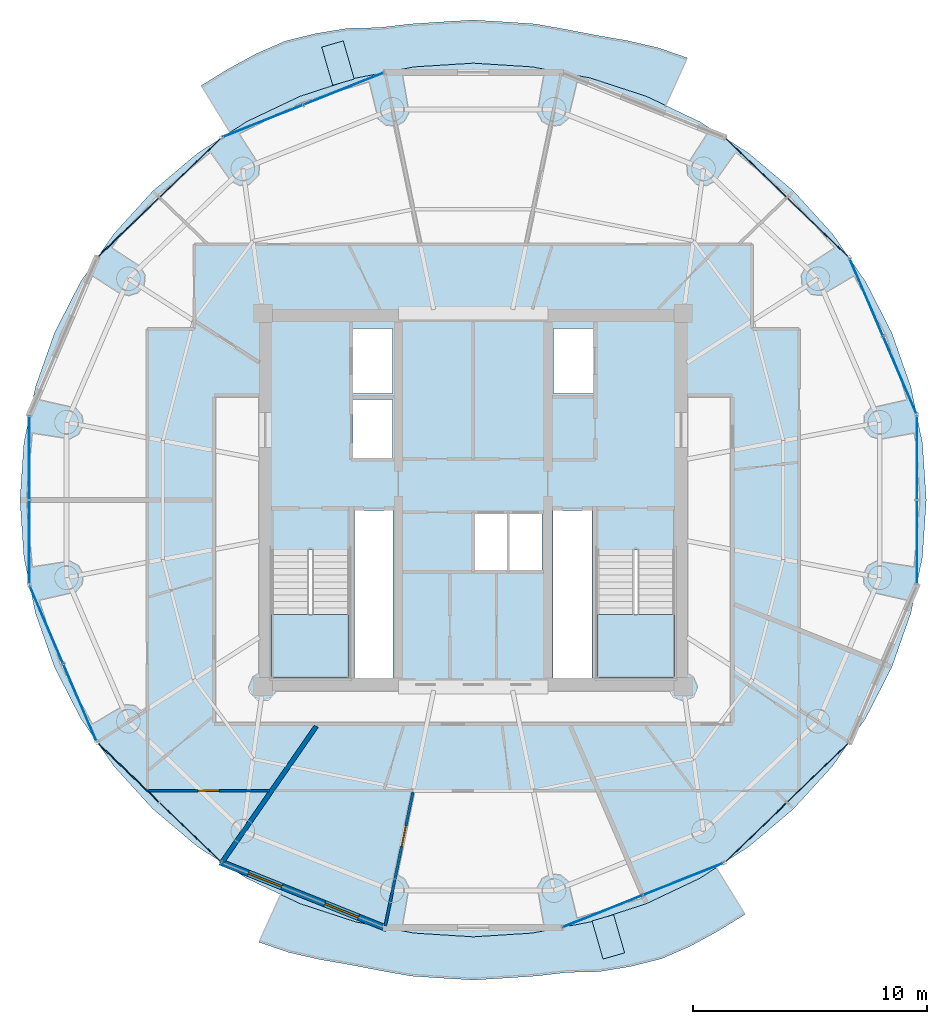
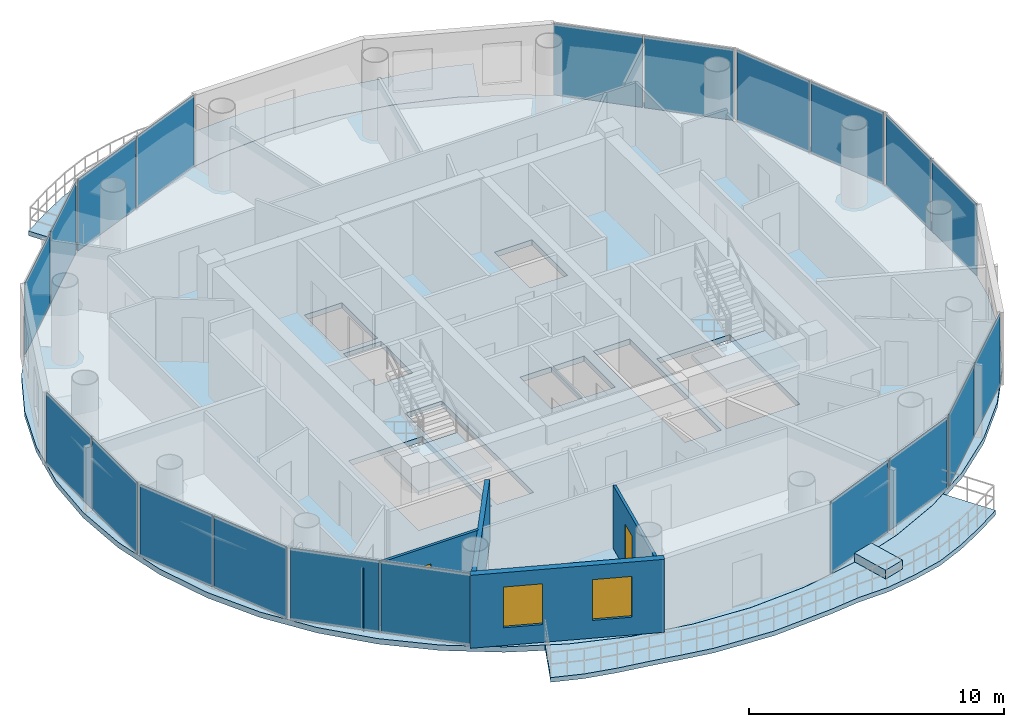
# One storey, part 17 of 24: 20 plates, 7 slabs, 4 walls, 2 doors, 2 windows, 4 openings, 12 elements without a shape of their own.
"""IFC4 building model written with IfcOpenShell, lengths in metres."""

import ifcopenshell
import ifcopenshell.guid

model = None  # the IFC model being written
_history = None  # IfcOwnerHistory: only IFC2X3 demands one
_inside = {}  # id of a spatial element -> (the spatial element, [elements in it])
_under = {}  # id of a project, library or spatial element -> (it, [spatial elements below it])
_declared = {}  # id of a project -> (the project, [libraries it declares])
_typed = {}  # id of a type object -> (the type object, [elements of that type])
_made_of = {}  # id of a material, layer set ... -> (it, [elements and type objects made of it])


def new_model(schema):
    """Start an empty IFC model of exactly this schema.

    Asked for "IFC4X3", IfcOpenShell would pick the latest addendum, in which some entities
    have other attributes; the version numbers below select the first issue.
    IFC2X3 requires an IfcOwnerHistory on every rooted entity: one is made here for all.
    """
    global model, _history
    if schema == "IFC4X3":
        model = ifcopenshell.file(schema_version=(4, 3, 0, 0))
    else:
        model = ifcopenshell.file(schema=schema)
    _inside.clear()
    _under.clear()
    _declared.clear()
    _typed.clear()
    _made_of.clear()
    _history = None
    if model.schema == "IFC2X3":
        org = make("IfcOrganization", Name="unknown")
        user = make(
            "IfcPersonAndOrganization",
            ThePerson=make("IfcPerson", FamilyName="unknown"),
            TheOrganization=org,
        )
        app = make(
            "IfcApplication",
            ApplicationDeveloper=org,
            Version="unknown",
            ApplicationFullName="unknown",
            ApplicationIdentifier="unknown",
        )
        _history = make(
            "IfcOwnerHistory",
            OwningUser=user,
            OwningApplication=app,
            ChangeAction="ADDED",
            CreationDate=0,
        )
    return model


def make(cls, **values):
    """One entity of the class cls with the attributes given. An attribute that is None is left unset."""
    return model.create_entity(
        cls, **{name: value for name, value in values.items() if value is not None}
    )


def rooted(cls, **values):
    """An entity with a GlobalId (a new one), such as an element, a storey or a relation."""
    return make(cls, GlobalId=ifcopenshell.guid.new(), OwnerHistory=_history, **values)


def si_unit(unit_type, name, prefix=None):
    """IfcSIUnit, for example si_unit("LENGTHUNIT", "METRE", prefix="MILLI")."""
    return make("IfcSIUnit", UnitType=unit_type, Prefix=prefix, Name=name)


def assignment(units):
    """IfcUnitAssignment: the units of a project."""
    return None if units is None else make("IfcUnitAssignment", Units=units)


def point(xyz):
    """IfcCartesianPoint."""
    return None if xyz is None else make("IfcCartesianPoint", Coordinates=xyz)


def direction(xyz):
    """IfcDirection."""
    return None if xyz is None else make("IfcDirection", DirectionRatios=xyz)


def frame(location, z_axis=None, x_axis=None):
    """IfcAxis2Placement3D, a coordinate frame: its origin and axes. An axis left out is left unset."""
    return make(
        "IfcAxis2Placement3D",
        Location=point(location),
        Axis=direction(z_axis),
        RefDirection=direction(x_axis),
    )


def frame_2d(location, x_axis=None):
    """IfcAxis2Placement2D, a coordinate frame in the plane: its origin and x axis."""
    return make(
        "IfcAxis2Placement2D", Location=point(location), RefDirection=direction(x_axis)
    )


def origin():
    """The frame at (0, 0, 0) with its axes left unset."""
    return frame((0.0, 0.0, 0.0))


def origin_2d():
    """The frame at (0, 0) in the plane with its x axis left unset."""
    return frame_2d((0.0, 0.0))


def place(relative_to, where):
    """IfcLocalPlacement: puts the frame where relative to a parent placement (None: the world)."""
    return make(
        "IfcLocalPlacement", PlacementRelTo=relative_to, RelativePlacement=where
    )


def context(
    kind, dimensions, precision=None, world=None, true_north=None, identifier=None
):
    """IfcGeometricRepresentationContext, for example the 3D "Model" context."""
    return make(
        "IfcGeometricRepresentationContext",
        ContextIdentifier=identifier,
        ContextType=kind,
        CoordinateSpaceDimension=dimensions,
        Precision=precision,
        WorldCoordinateSystem=world,
        TrueNorth=true_north,
    )


def subcontext(parent, identifier, kind, view, scale=None):
    """IfcGeometricRepresentationSubContext, for example "Body" below "Model"."""
    return make(
        "IfcGeometricRepresentationSubContext",
        ContextIdentifier=identifier,
        ContextType=kind,
        ParentContext=parent,
        TargetScale=scale,
        TargetView=view,
    )


def project(units=None, contexts=None):
    """IfcProject with its units and contexts."""
    return rooted(
        "IfcProject",
        Name="project",
        RepresentationContexts=contexts,
        UnitsInContext=assignment(units),
    )


def spatial(cls, under=None, at=None, **own):
    """A site, building, storey or space (cls), placed at a placement, below another one or the project."""
    s = rooted(cls, ObjectPlacement=at, **own)
    if under is not None:
        _under.setdefault(under.id(), (under, []))[1].append(s)
    return s


def polyline(points):
    """IfcPolyline through the points."""
    return make("IfcPolyline", Points=[point(p) for p in points])


def profile(cls, at=None, kind="AREA", **sizes):
    """A parametric profile (cls). Its sizes go by their IFC names, for example OverallWidth=200.0."""
    return make(cls, ProfileType=kind, Position=at, **sizes)


def rectangle(**sizes):
    """IfcRectangleProfileDef."""
    return profile("IfcRectangleProfileDef", **sizes)


def outline(outer, holes=None, kind="AREA"):
    """IfcArbitraryClosedProfileDef: a profile drawn as a closed curve; with holes, ...WithVoids."""
    if holes is None:
        return make("IfcArbitraryClosedProfileDef", ProfileType=kind, OuterCurve=outer)
    return make(
        "IfcArbitraryProfileDefWithVoids",
        ProfileType=kind,
        OuterCurve=outer,
        InnerCurves=holes,
    )


def extrude(swept, where, along, depth):
    """IfcExtrudedAreaSolid: the profile swept, set in the frame where, extruded along a direction by depth."""
    return make(
        "IfcExtrudedAreaSolid",
        SweptArea=swept,
        Position=where,
        ExtrudedDirection=direction(along),
        Depth=depth,
    )


def shape(context_of_items, identifier, shape_type, items):
    """IfcShapeRepresentation: the items that make up one representation, for example the "Body"."""
    return make(
        "IfcShapeRepresentation",
        ContextOfItems=context_of_items,
        RepresentationIdentifier=identifier,
        RepresentationType=shape_type,
        Items=items,
    )


def source(mapping_origin, context_of_items, identifier, shape_type, items):
    """IfcRepresentationMap: a shape defined once, which mapped items show again and again."""
    return make(
        "IfcRepresentationMap",
        MappingOrigin=mapping_origin,
        MappedRepresentation=shape(context_of_items, identifier, shape_type, items),
    )


def transform(
    local_origin,
    x_axis=None,
    y_axis=None,
    z_axis=None,
    scale=None,
    scale2=None,
    scale3=None,
    uniform=True,
):
    """IfcCartesianTransformationOperator3D, or its non-uniform kind. x_axis, y_axis, z_axis: its Axis1, 2, 3."""
    if uniform:
        return make(
            "IfcCartesianTransformationOperator3D",
            Axis1=direction(x_axis),
            Axis2=direction(y_axis),
            LocalOrigin=point(local_origin),
            Scale=scale,
            Axis3=direction(z_axis),
        )
    return make(
        "IfcCartesianTransformationOperator3DnonUniform",
        Axis1=direction(x_axis),
        Axis2=direction(y_axis),
        LocalOrigin=point(local_origin),
        Scale=scale,
        Axis3=direction(z_axis),
        Scale2=scale2,
        Scale3=scale3,
    )


def mapped(mapping_source, mapping_target):
    """IfcMappedItem: shows the shape of a source again, moved by a transform."""
    return make(
        "IfcMappedItem", MappingSource=mapping_source, MappingTarget=mapping_target
    )


def material(Name=None, Category=None):
    """IfcMaterial."""
    return make("IfcMaterial", Name=Name, Category=Category)


def layer(
    of_material, thickness, ventilated=None, Name=None, Category=None, Priority=None
):
    """IfcMaterialLayer: one layer of a wall or slab, of a material (None: an air gap)."""
    return make(
        "IfcMaterialLayer",
        Material=of_material,
        LayerThickness=thickness,
        IsVentilated=ventilated,
        Name=Name,
        Category=Category,
        Priority=Priority,
    )


def layer_set(layers, Name=None):
    """IfcMaterialLayerSet."""
    return make("IfcMaterialLayerSet", MaterialLayers=layers, LayerSetName=Name)


def made_of(thing, what):
    """Note that an element or type object is made of a material, layer set ...; save() writes the relation."""
    if what is not None:
        _made_of.setdefault(what.id(), (what, []))[1].append(thing)
    return thing


def type_object(cls, material=None, **own):
    """A type object (cls), such as IfcWallType, which elements share."""
    return made_of(rooted(cls, **own), material)


def element(
    cls,
    number,
    at=None,
    inside=None,
    cuts=None,
    type_object=None,
    material=None,
    context=None,
    identifier="Body",
    shape_type=None,
    held_by="IfcProductDefinitionShape",
    body=None,
    shapes=None,
    **own,
):
    """One element of the class cls, such as IfcWall. Its Tag is "e" and its number.

    at: its placement. inside: the storey or other place that contains it. cuts: it is an
    opening in that element (IfcRelVoidsElement). A single representation is given by context,
    identifier, shape_type and body (its items); several are given by shapes. held_by: the class
    of the entity that holds the representations. save() writes the other relations.
    """
    e = rooted(cls, Tag="e%d" % number, ObjectPlacement=at, **own)
    if body is not None:
        shapes = [shape(context, identifier, shape_type, body)]
    if shapes is not None:
        e.Representation = make(held_by, Representations=shapes)
    if inside is not None:
        _inside.setdefault(inside.id(), (inside, []))[1].append(e)
    if cuts is not None:
        rooted(
            "IfcRelVoidsElement", RelatingBuildingElement=cuts, RelatedOpeningElement=e
        )
    if type_object is not None:
        _typed.setdefault(type_object.id(), (type_object, []))[1].append(e)
    return made_of(e, material)


def fill(opening, filler):
    """IfcRelFillsElement: the door or window that sits in an opening."""
    return rooted(
        "IfcRelFillsElement",
        RelatingOpeningElement=opening,
        RelatedBuildingElement=filler,
    )


def aggregate(whole, parts):
    """IfcRelAggregates: a whole, such as a stair, and the parts it consists of."""
    return rooted("IfcRelAggregates", RelatingObject=whole, RelatedObjects=parts)


def save(model, path):
    """Write the relations noted so far, then the file.

    IfcRelAggregates (storeys below a building ...), IfcRelContainedInSpatialStructure (elements
    in a storey), IfcRelDefinesByType, IfcRelAssociatesMaterial and IfcRelDeclares: one each for
    every whole, place, type object, material and project.
    """
    for whole, parts in _under.values():
        aggregate(whole, parts)
    for where, things in _inside.values():
        rooted(
            "IfcRelContainedInSpatialStructure",
            RelatedElements=things,
            RelatingStructure=where,
        )
    for kind, things in _typed.values():
        rooted("IfcRelDefinesByType", RelatedObjects=things, RelatingType=kind)
    for what, things in _made_of.values():
        rooted("IfcRelAssociatesMaterial", RelatedObjects=things, RelatingMaterial=what)
    for by, libraries in _declared.values():
        rooted("IfcRelDeclares", RelatingContext=by, RelatedDefinitions=libraries)
    model.write(path)


model = new_model("IFC4")

# Units and contexts
model_context = context("Model", 3, precision=1e-05, world=origin(), true_north=direction((-0.2419218956, 0.970295726276)))
body_context = subcontext(model_context, "Body", "Model", "MODEL_VIEW")
ifc_project = project(units=[si_unit("LENGTHUNIT", "METRE"), si_unit("AREAUNIT", "SQUARE_METRE"), si_unit("VOLUMEUNIT", "CUBIC_METRE"), si_unit("PLANEANGLEUNIT", "RADIAN"), si_unit("MASSUNIT", "GRAM", prefix="KILO")], contexts=[model_context])

# Site, building, storey
site_placement = place(None, origin())
site = spatial("IfcSite", under=ifc_project, at=site_placement, CompositionType="ELEMENT")
building_placement = place(site_placement, origin())
building = spatial("IfcBuilding", under=site, at=building_placement, Name="Cobrevalo Terracotta Tower", CompositionType="ELEMENT")
storey_placement = place(building_placement, frame((0.0, 0.0, 274.449951171875)))
storey = spatial("IfcBuildingStorey", under=building, at=storey_placement, Name="L72", CompositionType="ELEMENT", Elevation=274.449951171875)

# Stair, slab
ifc_material_1 = material(Name="Concrete C50", Category="concrete")
stair_type = type_object("IfcStairType", Name="Core protected escape dogleg stair 1600", PredefinedType="HALF_TURN_STAIR", material=ifc_material_1)
stair_1_placement = place(storey_placement, origin())
stair_1 = element("IfcStair", 1, at=stair_1_placement, inside=storey, type_object=stair_type, Name="L72 Protected exit stair ST-1", PredefinedType="HALF_TURN_STAIR")
ifc_layer_1 = layer(ifc_material_1, 0.199951171875)
ifc_layer_set_1 = layer_set([ifc_layer_1], Name="Concrete C50")
slab_type_1 = type_object("IfcSlabType", Name="Reinforced Concrete Stair Landing 200", PredefinedType="LANDING", material=ifc_layer_set_1)
slab_1_placement = place(storey_placement, frame((0.0, 0.0, 1.675048828125)))
slab_1 = element("IfcSlab", 2, at=slab_1_placement, type_object=slab_type_1, Name="ST-1 landing 1", PredefinedType="LANDING", context=body_context, shape_type="SweptSolid", body=[
    extrude(outline(polyline([(29.375, 21.89990234375), (29.375, 19.175048828125), (32.695068359375, 19.175048828125), (32.695068359375, 21.89990234375), (29.375, 21.89990234375)])), origin(), (0.0, 0.0, 1.0), 0.199951171875),
])
aggregate(stair_1, [slab_1])

stair_2_placement = place(storey_placement, origin())
stair_2 = element("IfcStair", 3, at=stair_2_placement, inside=storey, type_object=stair_type, Name="L72 Protected exit stair ST-2", PredefinedType="HALF_TURN_STAIR")
slab_2_placement = place(storey_placement, frame((0.0, 0.0, 1.675048828125)))
slab_2 = element("IfcSlab", 4, at=slab_2_placement, type_object=slab_type_1, Name="ST-2 landing 1", PredefinedType="LANDING", context=body_context, shape_type="SweptSolid", body=[
    extrude(outline(polyline([(43.304931640625, 21.89990234375), (43.304931640625, 19.175048828125), (46.625, 19.175048828125), (46.625, 21.89990234375), (43.304931640625, 21.89990234375)])), origin(), (0.0, 0.0, 1.0), 0.199951171875),
])
aggregate(stair_2, [slab_2])

# Slabs
ifc_material_2 = material(Name="Concrete C45", Category="concrete")
ifc_layer_2 = layer(ifc_material_2, 0.219970703125)
ifc_layer_set_2 = layer_set([ifc_layer_2], Name="Concrete C45")
slab_type_2 = type_object("IfcSlabType", Name="Spiralling cantilevered balcony lobe slab 220 mm", PredefinedType="FLOOR", material=ifc_layer_set_2)
slab_3_placement = place(storey_placement, frame((0.0, 0.0, -0.219970703125)))
element("IfcSlab", 5, at=slab_3_placement, inside=storey, type_object=slab_type_2, Name="L72 spiralling arc balcony slab lobe 1", PredefinedType="FLOOR", context=body_context, shape_type="SweptSolid", body=[
    extrude(outline(polyline([(47.174560546875, 45.7275390625), (45.8994140625, 46.167236328125), (44.58203125, 46.468994140625), (43.26123046875, 46.69775390625), (41.953369140625, 46.951171875), (40.642578125, 47.18359375), (39.31201171875, 47.270751953125), (37.981201171875, 47.348876953125), (36.650390625, 47.268310546875), (35.320068359375, 47.18115234375), (33.99462890625, 47.025390625), (32.626708984375, 46.99267578125), (31.2822265625, 46.77490234375), (29.953125, 46.44580078125), (28.704345703125, 45.90185546875), (27.508544921875, 45.248779296875), (26.35546875, 44.5390625), (27.586181640625, 42.537353515625), (28.299072265625, 42.996337890625), (30.5751953125, 44.078369140625), (32.978271484375, 44.86474609375), (35.467529296875, 45.342041015625), (38.0, 45.501953125), (40.532470703125, 45.342041015625), (43.021728515625, 44.86474609375), (45.4248046875, 44.078369140625), (46.248291015625, 43.68701171875), (47.174560546875, 45.7275390625)])), origin(), (0.0, 0.0, 1.0), 0.219970703125),
])
slab_4_placement = place(storey_placement, frame((0.0, 0.0, -0.219970703125)))
element("IfcSlab", 6, at=slab_4_placement, inside=storey, type_object=slab_type_2, Name="L72 spiralling arc balcony slab lobe 2", PredefinedType="FLOOR", context=body_context, shape_type="SweptSolid", body=[
    extrude(outline(polyline([(28.825439453125, 7.872314453125), (30.1005859375, 7.432861328125), (31.41796875, 7.131103515625), (32.73876953125, 6.902099609375), (34.046630859375, 6.64892578125), (35.357421875, 6.416259765625), (36.68798828125, 6.3291015625), (38.018798828125, 6.2509765625), (39.349609375, 6.33154296875), (40.679931640625, 6.4189453125), (42.00537109375, 6.57470703125), (43.373291015625, 6.607177734375), (44.7177734375, 6.8251953125), (46.046875, 7.154052734375), (47.295654296875, 7.697998046875), (48.491455078125, 8.351318359375), (49.64453125, 9.060791015625), (48.413818359375, 11.062744140625), (47.700927734375, 10.603515625), (45.4248046875, 9.521484375), (43.021728515625, 8.7353515625), (40.532470703125, 8.258056640625), (38.0, 8.097900390625), (35.467529296875, 8.258056640625), (32.978271484375, 8.7353515625), (30.5751953125, 9.521484375), (29.751708984375, 9.9130859375), (28.825439453125, 7.872314453125)])), origin(), (0.0, 0.0, 1.0), 0.219970703125),
])
ifc_material_3 = material(Name="Precast concrete C45", Category="concrete")
ifc_layer_3 = layer(ifc_material_3, 0.419921875)
ifc_layer_set_3 = layer_set([ifc_layer_3], Name="Precast concrete C45")
slab_type_3 = type_object("IfcSlabType", Name="Structural tree planter trough base 420 mm", PredefinedType="USERDEFINED", material=ifc_layer_set_3)
slab_5_placement = place(storey_placement, origin())
element("IfcSlab", 7, at=slab_5_placement, inside=storey, type_object=slab_type_3, Name="L72 structural tree planter trough 1", ObjectType="PLANTER", PredefinedType="USERDEFINED", context=body_context, shape_type="SweptSolid", body=[
    extrude(outline(polyline([(32.909912109375, 44.81982421875), (32.43896484375, 46.453369140625), (31.5166015625, 46.187255859375), (31.987548828125, 44.553955078125), (32.909912109375, 44.81982421875)])), origin(), (0.0, 0.0, 1.0), 0.420166015625),
])
slab_6_placement = place(storey_placement, origin())
element("IfcSlab", 8, at=slab_6_placement, inside=storey, type_object=slab_type_3, Name="L72 structural tree planter trough 2", ObjectType="PLANTER", PredefinedType="USERDEFINED", context=body_context, shape_type="SweptSolid", body=[
    extrude(outline(polyline([(43.090087890625, 8.7802734375), (43.56103515625, 7.146728515625), (44.4833984375, 7.41259765625), (44.012451171875, 9.046142578125), (43.090087890625, 8.7802734375)])), origin(), (0.0, 0.0, 1.0), 0.420166015625),
])
ifc_layer_4 = layer(ifc_material_2, 0.260009765625)
ifc_layer_set_4 = layer_set([ifc_layer_4], Name="Concrete C45")
slab_type_4 = type_object("IfcSlabType", Name="Zone Z5 elliptical floor plate 260 mm", PredefinedType="FLOOR", material=ifc_layer_set_4)
slab_7_placement = place(storey_placement, frame((0.0, 0.0, -0.260009765625)))
element("IfcSlab", 9, at=slab_7_placement, inside=storey, type_object=slab_type_4, Name="L72 indoor elliptical floor slab", PredefinedType="FLOOR", context=body_context, shape_type="SweptSolid", body=[
    extrude(outline(polyline([(57.234130859375, 24.359130859375), (56.739013671875, 21.9599609375), (55.92333984375, 19.643798828125), (54.80078125, 17.449951171875), (53.39111328125, 15.416259765625), (51.7177734375, 13.5771484375), (49.81005859375, 11.96435546875), (47.699951171875, 10.605224609375), (45.424072265625, 9.5234375), (43.02099609375, 8.7373046875), (40.5322265625, 8.260009765625), (38.0, 8.10009765625), (35.4677734375, 8.260009765625), (32.97900390625, 8.7373046875), (30.575927734375, 9.5234375), (28.300048828125, 10.605224609375), (26.18994140625, 11.96435546875), (24.2822265625, 13.5771484375), (22.60888671875, 15.416259765625), (21.19921875, 17.449951171875), (20.07666015625, 19.643798828125), (19.260986328125, 21.9599609375), (18.765869140625, 24.359130859375), (18.60009765625, 26.800048828125), (18.765869140625, 29.24072265625), (19.260986328125, 31.639892578125), (20.07666015625, 33.956298828125), (21.19921875, 36.14990234375), (22.60888671875, 38.183837890625), (24.2822265625, 40.02294921875), (26.18994140625, 41.6357421875), (28.300048828125, 42.99462890625), (30.575927734375, 44.07666015625), (32.97900390625, 44.86279296875), (35.4677734375, 45.340087890625), (38.0, 45.5), (40.5322265625, 45.340087890625), (43.02099609375, 44.86279296875), (45.424072265625, 44.07666015625), (47.699951171875, 42.99462890625), (49.81005859375, 41.6357421875), (51.7177734375, 40.02294921875), (53.39111328125, 38.183837890625), (54.80078125, 36.14990234375), (55.92333984375, 33.956298828125), (56.739013671875, 31.639892578125), (57.234130859375, 29.24072265625), (57.39990234375, 26.800048828125), (57.234130859375, 24.359130859375)]), holes=[polyline([(32.695068359375, 19.175048828125), (32.695068359375, 24.659912109375), (29.375, 24.659912109375), (29.375, 19.175048828125), (32.695068359375, 19.175048828125)]), polyline([(46.625, 19.175048828125), (46.625, 24.659912109375), (43.304931640625, 24.659912109375), (43.304931640625, 19.175048828125), (46.625, 19.175048828125)]), polyline([(34.574951171875, 26.360107421875), (32.919921875, 26.360107421875), (32.919921875, 19.175048828125), (34.574951171875, 19.175048828125), (34.574951171875, 26.360107421875)]), polyline([(43.080078125, 26.360107421875), (41.425048828125, 26.360107421875), (41.425048828125, 19.175048828125), (43.080078125, 19.175048828125), (43.080078125, 26.360107421875)]), polyline([(39.469970703125, 26.25), (38.0400390625, 26.25), (38.0400390625, 23.800048828125), (39.469970703125, 23.800048828125), (39.469970703125, 26.25)]), polyline([(40.949951171875, 26.25), (39.52001953125, 26.25), (39.52001953125, 23.800048828125), (40.949951171875, 23.800048828125), (40.949951171875, 26.25)]), polyline([(34.550048828125, 31.10009765625), (32.85009765625, 31.10009765625), (32.85009765625, 28.60009765625), (34.550048828125, 28.60009765625), (34.550048828125, 31.10009765625)]), polyline([(34.550048828125, 31.35009765625), (34.550048828125, 34.14990234375), (32.85009765625, 34.14990234375), (32.85009765625, 31.35009765625), (34.550048828125, 31.35009765625)]), polyline([(43.14990234375, 31.35009765625), (43.14990234375, 34.14990234375), (41.449951171875, 34.14990234375), (41.449951171875, 31.35009765625), (43.14990234375, 31.35009765625)])]), origin(), (0.0, 0.0, 1.0), 0.260009765625),
])

# Curtain wall, plates
ifc_material_4 = material(Name="Anodized aluminium", Category="aluminium")
curtain_wall_type = type_object("IfcCurtainWallType", Name="Upper-tower triple-glazed penthouse curtain wall CW-U3", PredefinedType="NOTDEFINED", material=ifc_material_4)
curtain_wall_1_placement = place(storey_placement, origin())
curtain_wall_1 = element("IfcCurtainWall", 10, at=curtain_wall_1_placement, inside=storey, type_object=curtain_wall_type, Name="L72 curtain wall CW-L72-S02", PredefinedType="NOTDEFINED")
ifc_material_5 = material(Name="Solar-control low-E double glazing", Category="glass")
ifc_layer_5 = layer(ifc_material_5, 0.028076171875)
ifc_layer_set_5 = layer_set([ifc_layer_5], Name="Solar-control low-E double glazing")
plate_type = type_object("IfcPlateType", Name="Tower solar-control low-E vision glass panel 28 mm", PredefinedType="CURTAIN_PANEL", material=ifc_layer_set_5)
shared_shape_1 = source(origin(), body_context, "Body", "SweptSolid", [
    extrude(rectangle(XDim=3.59130859375, YDim=0.035888671875, at=origin_2d()), origin(), (0.0, 0.0, 1.0), 3.409912109375),
])
plate_1_placement = place(storey_placement, frame((52.755126953125, 38.47412109375, 0.0400390625), z_axis=(0.0, 0.0, 1.0), x_axis=(-0.719996603293, 0.693977586992, 0.0)))
plate_1 = element("IfcPlate", 11, at=plate_1_placement, type_object=plate_type, Name="CW-L72-S02 glazing panel B01", PredefinedType="CURTAIN_PANEL", context=body_context, shape_type="MappedRepresentation", body=[
    mapped(shared_shape_1, transform((0.0, 0.0, 0.0), scale=1.0)),
])
plate_2_placement = place(storey_placement, frame((50.11181640625, 41.02197265625, 0.0400390625), z_axis=(0.0, 0.0, 1.0), x_axis=(-0.719996603293, 0.693977586992, 0.0)))
plate_2 = element("IfcPlate", 12, at=plate_2_placement, type_object=plate_type, Name="CW-L72-S02 glazing panel B02", PredefinedType="CURTAIN_PANEL", context=body_context, shape_type="MappedRepresentation", body=[
    mapped(shared_shape_1, transform((0.0, 0.0, 0.0), scale=1.0)),
])
aggregate(curtain_wall_1, [plate_1, plate_2])

curtain_wall_2_placement = place(storey_placement, origin())
curtain_wall_2 = element("IfcCurtainWall", 13, at=curtain_wall_2_placement, inside=storey, type_object=curtain_wall_type, Name="L72 curtain wall CW-L72-S06", PredefinedType="NOTDEFINED")
plate_3_placement = place(storey_placement, frame((25.88818359375, 41.02197265625, 0.0400390625), z_axis=(0.0, 0.0, 1.0), x_axis=(-0.719996603293, -0.693977586992, 0.0)))
plate_3 = element("IfcPlate", 14, at=plate_3_placement, type_object=plate_type, Name="CW-L72-S06 glazing panel B01", PredefinedType="CURTAIN_PANEL", context=body_context, shape_type="MappedRepresentation", body=[
    mapped(shared_shape_1, transform((0.0, 0.0, 0.0), scale=1.0)),
])
plate_4_placement = place(storey_placement, frame((23.244873046875, 38.47412109375, 0.0400390625), z_axis=(0.0, 0.0, 1.0), x_axis=(-0.719996603293, -0.693977586992, 0.0)))
plate_4 = element("IfcPlate", 15, at=plate_4_placement, type_object=plate_type, Name="CW-L72-S06 glazing panel B02", PredefinedType="CURTAIN_PANEL", context=body_context, shape_type="MappedRepresentation", body=[
    mapped(shared_shape_1, transform((0.0, 0.0, 0.0), scale=1.0)),
])
aggregate(curtain_wall_2, [plate_3, plate_4])

curtain_wall_3_placement = place(storey_placement, origin())
curtain_wall_3 = element("IfcCurtainWall", 16, at=curtain_wall_3_placement, inside=storey, type_object=curtain_wall_type, Name="L72 curtain wall CW-L72-S10", PredefinedType="NOTDEFINED")
plate_5_placement = place(storey_placement, frame((23.244873046875, 15.1259765625, 0.0400390625), z_axis=(0.0, 0.0, 1.0), x_axis=(0.719996603293, -0.693977586992, 0.0)))
plate_5 = element("IfcPlate", 17, at=plate_5_placement, type_object=plate_type, Name="CW-L72-S10 glazing panel B01", PredefinedType="CURTAIN_PANEL", context=body_context, shape_type="MappedRepresentation", body=[
    mapped(shared_shape_1, transform((0.0, 0.0, 0.0), scale=1.0)),
])
plate_6_placement = place(storey_placement, frame((25.88818359375, 12.578125, 0.0400390625), z_axis=(0.0, 0.0, 1.0), x_axis=(0.719996603293, -0.693977586992, 0.0)))
plate_6 = element("IfcPlate", 18, at=plate_6_placement, type_object=plate_type, Name="CW-L72-S10 glazing panel B02", PredefinedType="CURTAIN_PANEL", context=body_context, shape_type="MappedRepresentation", body=[
    mapped(shared_shape_1, transform((0.0, 0.0, 0.0), scale=1.0)),
])
aggregate(curtain_wall_3, [plate_5, plate_6])

curtain_wall_4_placement = place(storey_placement, origin())
curtain_wall_4 = element("IfcCurtainWall", 19, at=curtain_wall_4_placement, inside=storey, type_object=curtain_wall_type, Name="L72 curtain wall CW-L72-S14", PredefinedType="NOTDEFINED")
plate_7_placement = place(storey_placement, frame((50.11181640625, 12.578125, 0.0400390625), z_axis=(0.0, 0.0, 1.0), x_axis=(0.719996603293, 0.693977586992, 0.0)))
plate_7 = element("IfcPlate", 20, at=plate_7_placement, type_object=plate_type, Name="CW-L72-S14 glazing panel B01", PredefinedType="CURTAIN_PANEL", context=body_context, shape_type="MappedRepresentation", body=[
    mapped(shared_shape_1, transform((0.0, 0.0, 0.0), scale=1.0)),
])
plate_8_placement = place(storey_placement, frame((52.755126953125, 15.1259765625, 0.0400390625), z_axis=(0.0, 0.0, 1.0), x_axis=(0.719996603293, 0.693977586992, 0.0)))
plate_8 = element("IfcPlate", 21, at=plate_8_placement, type_object=plate_type, Name="CW-L72-S14 glazing panel B02", PredefinedType="CURTAIN_PANEL", context=body_context, shape_type="MappedRepresentation", body=[
    mapped(shared_shape_1, transform((0.0, 0.0, 0.0), scale=1.0)),
])
aggregate(curtain_wall_4, [plate_7, plate_8])

curtain_wall_5_placement = place(storey_placement, origin())
curtain_wall_5 = element("IfcCurtainWall", 22, at=curtain_wall_5_placement, inside=storey, type_object=curtain_wall_type, Name="L72 curtain wall CW-L72-S05", PredefinedType="NOTDEFINED")
shared_shape_2 = source(origin(), body_context, "Body", "SweptSolid", [
    extrude(rectangle(XDim=3.63916015625, YDim=0.035888671875, at=origin_2d()), origin(), (0.0, 0.0, 1.0), 3.409912109375),
])
plate_9_placement = place(storey_placement, frame((32.456787109375, 44.406982421875, 0.0400390625), z_axis=(0.0, 0.0, 1.0), x_axis=(-0.92871833374, -0.370785998353, 0.0)))
plate_9 = element("IfcPlate", 23, at=plate_9_placement, type_object=plate_type, Name="CW-L72-S05 glazing panel B01", PredefinedType="CURTAIN_PANEL", context=body_context, shape_type="MappedRepresentation", body=[
    mapped(shared_shape_2, transform((0.0, 0.0, 0.0), scale=1.0)),
])
plate_10_placement = place(storey_placement, frame((29.002685546875, 43.02783203125, 0.0400390625), z_axis=(0.0, 0.0, 1.0), x_axis=(-0.92871833374, -0.370785998353, 0.0)))
plate_10 = element("IfcPlate", 24, at=plate_10_placement, type_object=plate_type, Name="CW-L72-S05 glazing panel B02", PredefinedType="CURTAIN_PANEL", context=body_context, shape_type="MappedRepresentation", body=[
    mapped(shared_shape_2, transform((0.0, 0.0, 0.0), scale=1.0)),
])
aggregate(curtain_wall_5, [plate_9, plate_10])

curtain_wall_6_placement = place(storey_placement, origin())
curtain_wall_6 = element("IfcCurtainWall", 25, at=curtain_wall_6_placement, inside=storey, type_object=curtain_wall_type, Name="L72 curtain wall CW-L72-S13", PredefinedType="NOTDEFINED")
plate_11_placement = place(storey_placement, frame((43.543212890625, 9.193115234375, 0.0400390625), z_axis=(0.0, 0.0, 1.0), x_axis=(0.92871833374, 0.370785998353, 0.0)))
plate_11 = element("IfcPlate", 26, at=plate_11_placement, type_object=plate_type, Name="CW-L72-S13 glazing panel B01", PredefinedType="CURTAIN_PANEL", context=body_context, shape_type="MappedRepresentation", body=[
    mapped(shared_shape_2, transform((0.0, 0.0, 0.0), scale=1.0)),
])
plate_12_placement = place(storey_placement, frame((46.997314453125, 10.572021484375, 0.0400390625), z_axis=(0.0, 0.0, 1.0), x_axis=(0.92871833374, 0.370785998353, 0.0)))
plate_12 = element("IfcPlate", 27, at=plate_12_placement, type_object=plate_type, Name="CW-L72-S13 glazing panel B02", PredefinedType="CURTAIN_PANEL", context=body_context, shape_type="MappedRepresentation", body=[
    mapped(shared_shape_2, transform((0.0, 0.0, 0.0), scale=1.0)),
])
aggregate(curtain_wall_6, [plate_11, plate_12])

curtain_wall_7_placement = place(storey_placement, origin())
curtain_wall_7 = element("IfcCurtainWall", 28, at=curtain_wall_7_placement, inside=storey, type_object=curtain_wall_type, Name="L72 curtain wall CW-L72-S01", PredefinedType="NOTDEFINED")
shared_shape_3 = source(origin(), body_context, "Body", "SweptSolid", [
    extrude(rectangle(XDim=3.542724609375, YDim=0.035888671875, at=origin_2d()), origin(), (0.0, 0.0, 1.0), 3.409912109375),
])
plate_13_placement = place(storey_placement, frame((56.266845703125, 32.143310546875, 0.0400390625), z_axis=(0.0, 0.0, 1.0), x_axis=(-0.394828845134, 0.918754691444, 0.0)))
plate_13 = element("IfcPlate", 29, at=plate_13_placement, type_object=plate_type, Name="CW-L72-S01 glazing panel B01", PredefinedType="CURTAIN_PANEL", context=body_context, shape_type="MappedRepresentation", body=[
    mapped(shared_shape_3, transform((0.0, 0.0, 0.0), scale=1.0)),
])
plate_14_placement = place(storey_placement, frame((54.83642578125, 35.4716796875, 0.0400390625), z_axis=(0.0, 0.0, 1.0), x_axis=(-0.394828845134, 0.918754691444, 0.0)))
plate_14 = element("IfcPlate", 30, at=plate_14_placement, type_object=plate_type, Name="CW-L72-S01 glazing panel B02", PredefinedType="CURTAIN_PANEL", context=body_context, shape_type="MappedRepresentation", body=[
    mapped(shared_shape_3, transform((0.0, 0.0, 0.0), scale=1.0)),
])
aggregate(curtain_wall_7, [plate_13, plate_14])

curtain_wall_8_placement = place(storey_placement, origin())
curtain_wall_8 = element("IfcCurtainWall", 31, at=curtain_wall_8_placement, inside=storey, type_object=curtain_wall_type, Name="L72 curtain wall CW-L72-S09", PredefinedType="NOTDEFINED")
plate_15_placement = place(storey_placement, frame((19.733154296875, 21.456787109375, 0.0400390625), z_axis=(0.0, 0.0, 1.0), x_axis=(0.394828845134, -0.918754691444, 0.0)))
plate_15 = element("IfcPlate", 32, at=plate_15_placement, type_object=plate_type, Name="CW-L72-S09 glazing panel B01", PredefinedType="CURTAIN_PANEL", context=body_context, shape_type="MappedRepresentation", body=[
    mapped(shared_shape_3, transform((0.0, 0.0, 0.0), scale=1.0)),
])
plate_16_placement = place(storey_placement, frame((21.16357421875, 18.12841796875, 0.0400390625), z_axis=(0.0, 0.0, 1.0), x_axis=(0.394828845134, -0.918754691444, 0.0)))
plate_16 = element("IfcPlate", 33, at=plate_16_placement, type_object=plate_type, Name="CW-L72-S09 glazing panel B02", PredefinedType="CURTAIN_PANEL", context=body_context, shape_type="MappedRepresentation", body=[
    mapped(shared_shape_3, transform((0.0, 0.0, 0.0), scale=1.0)),
])
aggregate(curtain_wall_8, [plate_15, plate_16])

curtain_wall_9_placement = place(storey_placement, origin())
curtain_wall_9 = element("IfcCurtainWall", 34, at=curtain_wall_9_placement, inside=storey, type_object=curtain_wall_type, Name="L72 curtain wall CW-L72-S08", PredefinedType="NOTDEFINED")
shared_shape_4 = source(origin(), body_context, "Body", "SweptSolid", [
    extrude(rectangle(XDim=3.522216796875, YDim=0.035888671875, at=origin_2d()), origin(), (0.0, 0.0, 1.0), 3.409912109375),
])
plate_17_placement = place(storey_placement, frame((19.002197265625, 28.60107421875, 0.0400390625), z_axis=(0.0, 0.0, 1.0), x_axis=(0.0, -1.0, 0.0)))
plate_17 = element("IfcPlate", 35, at=plate_17_placement, type_object=plate_type, Name="CW-L72-S08 glazing panel B01", PredefinedType="CURTAIN_PANEL", context=body_context, shape_type="MappedRepresentation", body=[
    mapped(shared_shape_4, transform((0.0, 0.0, 0.0), scale=1.0)),
])
plate_18_placement = place(storey_placement, frame((19.002197265625, 24.998779296875, 0.0400390625), z_axis=(0.0, 0.0, 1.0), x_axis=(0.0, -1.0, 0.0)))
plate_18 = element("IfcPlate", 36, at=plate_18_placement, type_object=plate_type, Name="CW-L72-S08 glazing panel B02", PredefinedType="CURTAIN_PANEL", context=body_context, shape_type="MappedRepresentation", body=[
    mapped(shared_shape_4, transform((0.0, 0.0, 0.0), scale=1.0)),
])
aggregate(curtain_wall_9, [plate_17, plate_18])

curtain_wall_10_placement = place(storey_placement, origin())
curtain_wall_10 = element("IfcCurtainWall", 37, at=curtain_wall_10_placement, inside=storey, type_object=curtain_wall_type, Name="L72 curtain wall CW-L72-S16", PredefinedType="NOTDEFINED")
plate_19_placement = place(storey_placement, frame((56.997802734375, 24.998779296875, 0.0400390625), z_axis=(0.0, 0.0, 1.0), x_axis=(0.0, 1.0, 0.0)))
plate_19 = element("IfcPlate", 38, at=plate_19_placement, type_object=plate_type, Name="CW-L72-S16 glazing panel B01", PredefinedType="CURTAIN_PANEL", context=body_context, shape_type="MappedRepresentation", body=[
    mapped(shared_shape_4, transform((0.0, 0.0, 0.0), scale=1.0)),
])
plate_20_placement = place(storey_placement, frame((56.997802734375, 28.60107421875, 0.0400390625), z_axis=(0.0, 0.0, 1.0), x_axis=(0.0, 1.0, 0.0)))
plate_20 = element("IfcPlate", 39, at=plate_20_placement, type_object=plate_type, Name="CW-L72-S16 glazing panel B02", PredefinedType="CURTAIN_PANEL", context=body_context, shape_type="MappedRepresentation", body=[
    mapped(shared_shape_4, transform((0.0, 0.0, 0.0), scale=1.0)),
])
aggregate(curtain_wall_10, [plate_19, plate_20])

# Wall
ifc_material_6 = material(Name="Autoclaved aerated concrete block", Category="concrete")
ifc_layer_6 = layer(ifc_material_6, 0.199951171875)
ifc_layer_set_6 = layer_set([ifc_layer_6], Name="Autoclaved aerated concrete block")
wall_type_1 = type_object("IfcWallType", Name="Fire-rated stair, shaft & demising masonry wall 200 mm", PredefinedType="PARTITIONING", material=ifc_layer_set_6)
wall_1_placement = place(storey_placement, frame((31.286376953125, 17.114990234375, 0.0), z_axis=(0.0, 0.0, 1.0), x_axis=(-0.569682734556, -0.821864698079, 0.0)))
element("IfcWall", 40, at=wall_1_placement, inside=storey, type_object=wall_type_1, Name="L72 interior partition IW-L72-DEM-3", PredefinedType="PARTITIONING", context=body_context, shape_type="SweptSolid", body=[
    extrude(rectangle(XDim=7.034423828125, YDim=0.199951171875, at=frame_2d((3.51708984375, 0.0))), origin(), (0.0, 0.0, 1.0), 3.01513671875),
])

# Wall, openings, windows
ifc_layer_7 = layer(ifc_material_6, 0.280029296875)
ifc_layer_set_7 = layer_set([ifc_layer_7], Name="Autoclaved aerated concrete block")
wall_type_2 = type_object("IfcWallType", Name="Insulated tower spandrel & pier wall 280 mm with terracotta rainscreen", PredefinedType="SOLIDWALL", material=ifc_layer_set_7)
wall_2_placement = place(storey_placement, frame((27.164306640625, 11.30615234375, 0.0), z_axis=(0.0, 0.0, 1.0), x_axis=(0.92871332341, -0.370798547626, 0.0)))
wall_2 = element("IfcWall", 41, at=wall_2_placement, inside=storey, type_object=wall_type_2, Name="L72 terracotta rainscreen pier wall S11", PredefinedType="SOLIDWALL", context=body_context, shape_type="SweptSolid", body=[
    extrude(rectangle(XDim=7.678466796875, YDim=0.280029296875, at=frame_2d((3.83935546875, 0.0))), origin(), (0.0, 0.0, 1.0), 3.489990234375),
])
opening_1_placement = place(wall_2_placement, frame((1.298095703125, 0.0, 0.85009765625)))
opening_1 = element("IfcOpeningElement", 42, at=opening_1_placement, cuts=wall_2, Name="Opening WN-12", PredefinedType="OPENING", context=body_context, shape_type="SweptSolid", body=[
    extrude(rectangle(XDim=1.550048828125, YDim=1.949951171875, at=frame_2d((0.77490234375, 0.97509765625))), frame((0.0, 0.14990234375, 0.0), z_axis=(0.0, -1.0, 0.0), x_axis=(1.0, 0.0, 0.0)), (0.0, 0.0, 1.0), 0.300048828125),
])
opening_2_placement = place(wall_2_placement, frame((4.830078125, 0.0, 0.85009765625)))
opening_2 = element("IfcOpeningElement", 43, at=opening_2_placement, cuts=wall_2, Name="Opening WN-12", PredefinedType="OPENING", context=body_context, shape_type="SweptSolid", body=[
    extrude(rectangle(XDim=1.550048828125, YDim=1.949951171875, at=frame_2d((0.77490234375, 0.97509765625))), frame((0.0, 0.14990234375, 0.0), z_axis=(0.0, -1.0, 0.0), x_axis=(1.0, 0.0, 0.0)), (0.0, 0.0, 1.0), 0.300048828125),
])
window_type = type_object("IfcWindowType", Name="Solar-control low-E aluminium window 1550x1950", PartitioningType="SINGLE_PANEL", PredefinedType="WINDOW", material=ifc_material_5)
shared_shape_5 = source(origin(), body_context, "Body", "SweptSolid", [
    extrude(rectangle(XDim=1.550048828125, YDim=1.949951171875, at=frame_2d((0.77490234375, 0.97509765625))), frame((0.0, 0.030029296875, 0.0), z_axis=(0.0, -1.0, 0.0), x_axis=(1.0, 0.0, 0.0)), (0.0, 0.0, 1.0), 0.06005859375),
])
window_1_placement = place(opening_1_placement, origin())
window_1 = element("IfcWindow", 44, at=window_1_placement, inside=storey, type_object=window_type, Name="L72 suite window S11A", OverallHeight=1.949951171875, OverallWidth=1.550048828125, PartitioningType="SINGLE_PANEL", PredefinedType="WINDOW", context=body_context, shape_type="MappedRepresentation", body=[
    mapped(shared_shape_5, transform((0.0, 0.0, 0.0), scale=1.0)),
])
fill(opening_1, window_1)
window_2_placement = place(opening_2_placement, origin())
window_2 = element("IfcWindow", 45, at=window_2_placement, inside=storey, type_object=window_type, Name="L72 suite window S11B", OverallHeight=1.949951171875, OverallWidth=1.550048828125, PartitioningType="SINGLE_PANEL", PredefinedType="WINDOW", context=body_context, shape_type="MappedRepresentation", body=[
    mapped(shared_shape_5, transform((0.0, 0.0, 0.0), scale=1.0)),
])
fill(opening_2, window_2)

# Wall, opening, door
ifc_material_7 = material(Name="Gypsum board on steel stud", Category="steel")
ifc_layer_8 = layer(ifc_material_7, 0.1201171875)
ifc_layer_set_8 = layer_set([ifc_layer_8], Name="Gypsum board on steel stud")
wall_type_3 = type_object("IfcWallType", Name="Residential internal acoustic stud partition 120 mm", PredefinedType="PARTITIONING", material=ifc_layer_set_8)
wall_3_placement = place(storey_placement, frame((29.271240234375, 14.35498046875, 0.0), z_axis=(0.0, 0.0, 1.0), x_axis=(-1.0, 0.0, 0.0)))
wall_3 = element("IfcWall", 46, at=wall_3_placement, inside=storey, type_object=wall_type_3, Name="L72 interior partition IW-L72-U2-RING0_0", PredefinedType="PARTITIONING", context=body_context, shape_type="SweptSolid", body=[
    extrude(rectangle(XDim=5.21630859375, YDim=0.1201171875, at=frame_2d((2.608154296875, 0.0))), origin(), (0.0, 0.0, 1.0), 3.01513671875),
])
opening_3_placement = place(wall_3_placement, frame((2.158203125, 0.0, 0.0)))
opening_3 = element("IfcOpeningElement", 47, at=opening_3_placement, cuts=wall_3, Name="Opening ID-12", PredefinedType="OPENING", context=body_context, shape_type="SweptSolid", body=[
    extrude(rectangle(XDim=0.89990234375, YDim=2.14990234375, at=frame_2d((0.449951171875, 1.074951171875))), frame((0.0, 0.070068359375, 0.0), z_axis=(0.0, -1.0, 0.0), x_axis=(1.0, 0.0, 0.0)), (0.0, 0.0, 1.0), 0.14013671875),
])
ifc_material_8 = material(Name="Engineered timber", Category="wood")
door_type = type_object("IfcDoorType", Name="Internal residence & suite timber door 900x2150", OperationType="NOTDEFINED", PredefinedType="DOOR", material=ifc_material_8)
shared_shape_6 = source(origin(), body_context, "Body", "SweptSolid", [
    extrude(rectangle(XDim=0.89990234375, YDim=2.14990234375, at=frame_2d((0.449951171875, 1.074951171875))), frame((0.0, 0.02490234375, 0.0), z_axis=(0.0, -1.0, 0.0), x_axis=(1.0, 0.0, 0.0)), (0.0, 0.0, 1.0), 0.050048828125),
])
door_1_placement = place(opening_3_placement, frame((0.89990234375, 0.0, 0.0), z_axis=(0.0, 0.0, 1.0), x_axis=(-1.0, 0.0, 0.0)))
door_1 = element("IfcDoor", 48, at=door_1_placement, inside=storey, type_object=door_type, Name="Flat L72B Master Bedroom internal door", OperationType="SINGLE_SWING_RIGHT", OverallHeight=2.14990234375, OverallWidth=0.89990234375, PredefinedType="DOOR", context=body_context, shape_type="MappedRepresentation", body=[
    mapped(shared_shape_6, transform((0.0, 0.0, 0.0), scale=1.0)),
])
fill(opening_3, door_1)

wall_4_placement = place(storey_placement, frame((35.41943359375, 14.294189453125, 0.0), z_axis=(0.0, 0.0, 1.0), x_axis=(-0.202123253109, -0.979360092383, 0.0)))
wall_4 = element("IfcWall", 49, at=wall_4_placement, inside=storey, type_object=wall_type_3, Name="L72 interior partition IW-L72-U3-ORAD1", PredefinedType="PARTITIONING", context=body_context, shape_type="SweptSolid", body=[
    extrude(rectangle(XDim=5.858154296875, YDim=0.1201171875, at=frame_2d((2.92919921875, 0.0))), origin(), (0.0, 0.0, 1.0), 3.01513671875),
])
opening_4_placement = place(wall_4_placement, frame((1.464111328125, 0.0, 0.0)))
opening_4 = element("IfcOpeningElement", 50, at=opening_4_placement, cuts=wall_4, Name="Opening ID-12", PredefinedType="OPENING", context=body_context, shape_type="SweptSolid", body=[
    extrude(rectangle(XDim=0.89990234375, YDim=2.14990234375, at=frame_2d((0.449951171875, 1.074951171875))), frame((0.0, 0.070068359375, 0.0), z_axis=(0.0, -1.0, 0.0), x_axis=(1.0, 0.0, 0.0)), (0.0, 0.0, 1.0), 0.14013671875),
])
door_2_placement = place(opening_4_placement, frame((0.89990234375, 0.0, 0.0), z_axis=(0.0, 0.0, 1.0), x_axis=(-1.0, 0.0, 0.0)))
door_2 = element("IfcDoor", 51, at=door_2_placement, inside=storey, type_object=door_type, Name="Flat L72C Living and Dining Room internal door", OperationType="SINGLE_SWING_LEFT", OverallHeight=2.14990234375, OverallWidth=0.89990234375, PredefinedType="DOOR", context=body_context, shape_type="MappedRepresentation", body=[
    mapped(shared_shape_6, transform((0.0, 0.0, 0.0), scale=1.0)),
])
fill(opening_4, door_2)

save(model, "model.ifc")
